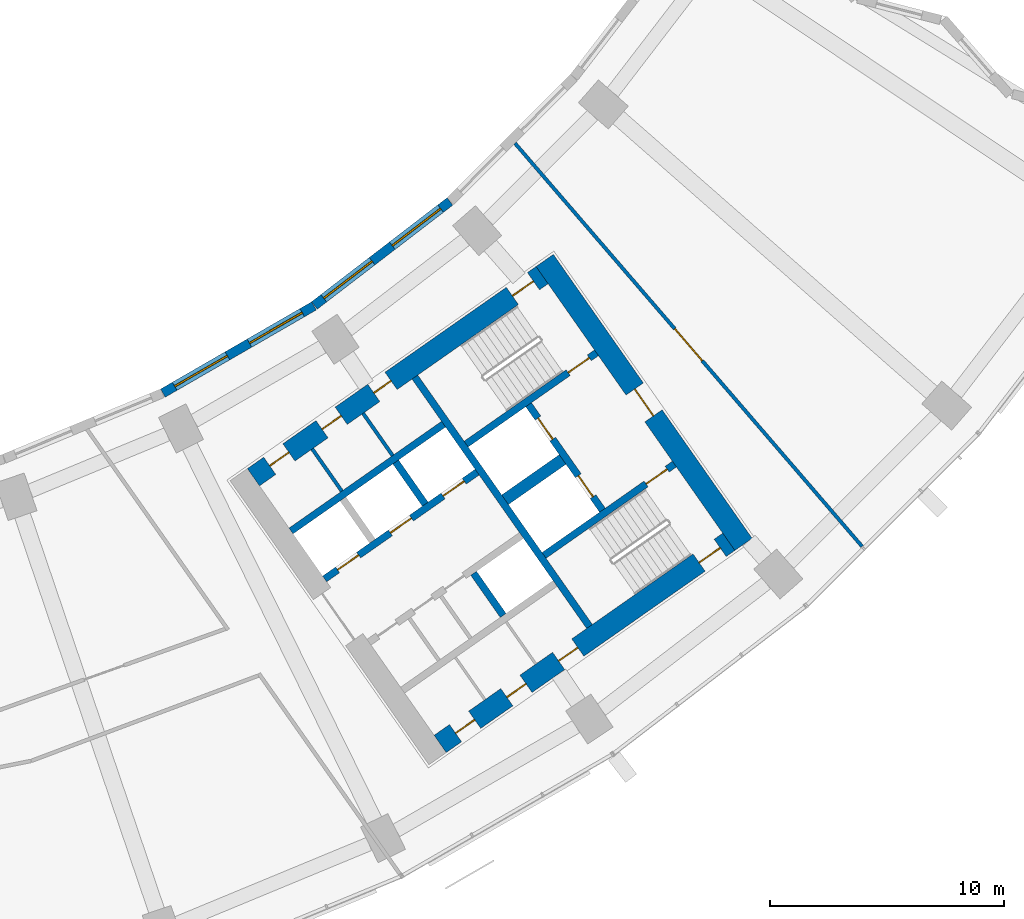
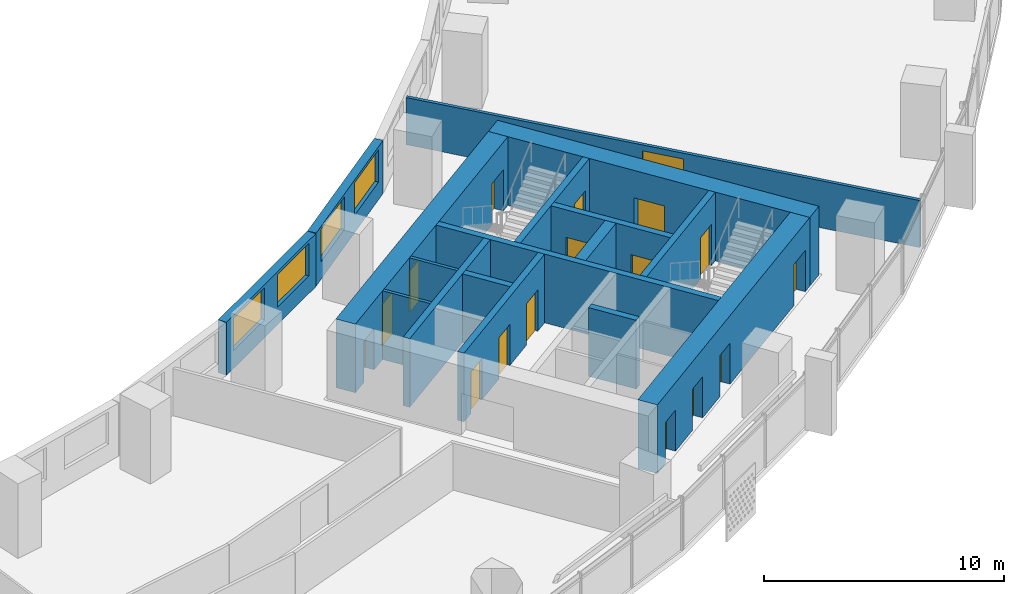
# One storey, part 7 of 30: 17 doors, 17 walls, 4 windows, 21 openings.
"""IFC4 building model written with IfcOpenShell, lengths in metres."""

import ifcopenshell
import ifcopenshell.guid

model = None  # the IFC model being written
_history = None  # IfcOwnerHistory: only IFC2X3 demands one
_inside = {}  # id of a spatial element -> (the spatial element, [elements in it])
_under = {}  # id of a project, library or spatial element -> (it, [spatial elements below it])
_declared = {}  # id of a project -> (the project, [libraries it declares])
_typed = {}  # id of a type object -> (the type object, [elements of that type])
_made_of = {}  # id of a material, layer set ... -> (it, [elements and type objects made of it])


def new_model(schema):
    """Start an empty IFC model of exactly this schema.

    Asked for "IFC4X3", IfcOpenShell would pick the latest addendum, in which some entities
    have other attributes; the version numbers below select the first issue.
    IFC2X3 requires an IfcOwnerHistory on every rooted entity: one is made here for all.
    """
    global model, _history
    if schema == "IFC4X3":
        model = ifcopenshell.file(schema_version=(4, 3, 0, 0))
    else:
        model = ifcopenshell.file(schema=schema)
    _inside.clear()
    _under.clear()
    _declared.clear()
    _typed.clear()
    _made_of.clear()
    _history = None
    if model.schema == "IFC2X3":
        org = make("IfcOrganization", Name="unknown")
        user = make(
            "IfcPersonAndOrganization",
            ThePerson=make("IfcPerson", FamilyName="unknown"),
            TheOrganization=org,
        )
        app = make(
            "IfcApplication",
            ApplicationDeveloper=org,
            Version="unknown",
            ApplicationFullName="unknown",
            ApplicationIdentifier="unknown",
        )
        _history = make(
            "IfcOwnerHistory",
            OwningUser=user,
            OwningApplication=app,
            ChangeAction="ADDED",
            CreationDate=0,
        )
    return model


def make(cls, **values):
    """One entity of the class cls with the attributes given. An attribute that is None is left unset."""
    return model.create_entity(
        cls, **{name: value for name, value in values.items() if value is not None}
    )


def rooted(cls, **values):
    """An entity with a GlobalId (a new one), such as an element, a storey or a relation."""
    return make(cls, GlobalId=ifcopenshell.guid.new(), OwnerHistory=_history, **values)


def si_unit(unit_type, name, prefix=None):
    """IfcSIUnit, for example si_unit("LENGTHUNIT", "METRE", prefix="MILLI")."""
    return make("IfcSIUnit", UnitType=unit_type, Prefix=prefix, Name=name)


def assignment(units):
    """IfcUnitAssignment: the units of a project."""
    return None if units is None else make("IfcUnitAssignment", Units=units)


def point(xyz):
    """IfcCartesianPoint."""
    return None if xyz is None else make("IfcCartesianPoint", Coordinates=xyz)


def direction(xyz):
    """IfcDirection."""
    return None if xyz is None else make("IfcDirection", DirectionRatios=xyz)


def frame(location, z_axis=None, x_axis=None):
    """IfcAxis2Placement3D, a coordinate frame: its origin and axes. An axis left out is left unset."""
    return make(
        "IfcAxis2Placement3D",
        Location=point(location),
        Axis=direction(z_axis),
        RefDirection=direction(x_axis),
    )


def frame_2d(location, x_axis=None):
    """IfcAxis2Placement2D, a coordinate frame in the plane: its origin and x axis."""
    return make(
        "IfcAxis2Placement2D", Location=point(location), RefDirection=direction(x_axis)
    )


def origin():
    """The frame at (0, 0, 0) with its axes left unset."""
    return frame((0.0, 0.0, 0.0))


def place(relative_to, where):
    """IfcLocalPlacement: puts the frame where relative to a parent placement (None: the world)."""
    return make(
        "IfcLocalPlacement", PlacementRelTo=relative_to, RelativePlacement=where
    )


def context(
    kind, dimensions, precision=None, world=None, true_north=None, identifier=None
):
    """IfcGeometricRepresentationContext, for example the 3D "Model" context."""
    return make(
        "IfcGeometricRepresentationContext",
        ContextIdentifier=identifier,
        ContextType=kind,
        CoordinateSpaceDimension=dimensions,
        Precision=precision,
        WorldCoordinateSystem=world,
        TrueNorth=true_north,
    )


def subcontext(parent, identifier, kind, view, scale=None):
    """IfcGeometricRepresentationSubContext, for example "Body" below "Model"."""
    return make(
        "IfcGeometricRepresentationSubContext",
        ContextIdentifier=identifier,
        ContextType=kind,
        ParentContext=parent,
        TargetScale=scale,
        TargetView=view,
    )


def project(units=None, contexts=None):
    """IfcProject with its units and contexts."""
    return rooted(
        "IfcProject",
        Name="project",
        RepresentationContexts=contexts,
        UnitsInContext=assignment(units),
    )


def spatial(cls, under=None, at=None, **own):
    """A site, building, storey or space (cls), placed at a placement, below another one or the project."""
    s = rooted(cls, ObjectPlacement=at, **own)
    if under is not None:
        _under.setdefault(under.id(), (under, []))[1].append(s)
    return s


def profile(cls, at=None, kind="AREA", **sizes):
    """A parametric profile (cls). Its sizes go by their IFC names, for example OverallWidth=200.0."""
    return make(cls, ProfileType=kind, Position=at, **sizes)


def rectangle(**sizes):
    """IfcRectangleProfileDef."""
    return profile("IfcRectangleProfileDef", **sizes)


def extrude(swept, where, along, depth):
    """IfcExtrudedAreaSolid: the profile swept, set in the frame where, extruded along a direction by depth."""
    return make(
        "IfcExtrudedAreaSolid",
        SweptArea=swept,
        Position=where,
        ExtrudedDirection=direction(along),
        Depth=depth,
    )


def shape(context_of_items, identifier, shape_type, items):
    """IfcShapeRepresentation: the items that make up one representation, for example the "Body"."""
    return make(
        "IfcShapeRepresentation",
        ContextOfItems=context_of_items,
        RepresentationIdentifier=identifier,
        RepresentationType=shape_type,
        Items=items,
    )


def material(Name=None, Category=None):
    """IfcMaterial."""
    return make("IfcMaterial", Name=Name, Category=Category)


def layer(
    of_material, thickness, ventilated=None, Name=None, Category=None, Priority=None
):
    """IfcMaterialLayer: one layer of a wall or slab, of a material (None: an air gap)."""
    return make(
        "IfcMaterialLayer",
        Material=of_material,
        LayerThickness=thickness,
        IsVentilated=ventilated,
        Name=Name,
        Category=Category,
        Priority=Priority,
    )


def layer_set(layers, Name=None):
    """IfcMaterialLayerSet."""
    return make("IfcMaterialLayerSet", MaterialLayers=layers, LayerSetName=Name)


def made_of(thing, what):
    """Note that an element or type object is made of a material, layer set ...; save() writes the relation."""
    if what is not None:
        _made_of.setdefault(what.id(), (what, []))[1].append(thing)
    return thing


def type_object(cls, material=None, **own):
    """A type object (cls), such as IfcWallType, which elements share."""
    return made_of(rooted(cls, **own), material)


def element(
    cls,
    number,
    at=None,
    inside=None,
    cuts=None,
    type_object=None,
    material=None,
    context=None,
    identifier="Body",
    shape_type=None,
    held_by="IfcProductDefinitionShape",
    body=None,
    shapes=None,
    **own,
):
    """One element of the class cls, such as IfcWall. Its Tag is "e" and its number.

    at: its placement. inside: the storey or other place that contains it. cuts: it is an
    opening in that element (IfcRelVoidsElement). A single representation is given by context,
    identifier, shape_type and body (its items); several are given by shapes. held_by: the class
    of the entity that holds the representations. save() writes the other relations.
    """
    e = rooted(cls, Tag="e%d" % number, ObjectPlacement=at, **own)
    if body is not None:
        shapes = [shape(context, identifier, shape_type, body)]
    if shapes is not None:
        e.Representation = make(held_by, Representations=shapes)
    if inside is not None:
        _inside.setdefault(inside.id(), (inside, []))[1].append(e)
    if cuts is not None:
        rooted(
            "IfcRelVoidsElement", RelatingBuildingElement=cuts, RelatedOpeningElement=e
        )
    if type_object is not None:
        _typed.setdefault(type_object.id(), (type_object, []))[1].append(e)
    return made_of(e, material)


def fill(opening, filler):
    """IfcRelFillsElement: the door or window that sits in an opening."""
    return rooted(
        "IfcRelFillsElement",
        RelatingOpeningElement=opening,
        RelatedBuildingElement=filler,
    )


def aggregate(whole, parts):
    """IfcRelAggregates: a whole, such as a stair, and the parts it consists of."""
    return rooted("IfcRelAggregates", RelatingObject=whole, RelatedObjects=parts)


def save(model, path):
    """Write the relations noted so far, then the file.

    IfcRelAggregates (storeys below a building ...), IfcRelContainedInSpatialStructure (elements
    in a storey), IfcRelDefinesByType, IfcRelAssociatesMaterial and IfcRelDeclares: one each for
    every whole, place, type object, material and project.
    """
    for whole, parts in _under.values():
        aggregate(whole, parts)
    for where, things in _inside.values():
        rooted(
            "IfcRelContainedInSpatialStructure",
            RelatedElements=things,
            RelatingStructure=where,
        )
    for kind, things in _typed.values():
        rooted("IfcRelDefinesByType", RelatedObjects=things, RelatingType=kind)
    for what, things in _made_of.values():
        rooted("IfcRelAssociatesMaterial", RelatedObjects=things, RelatingMaterial=what)
    for by, libraries in _declared.values():
        rooted("IfcRelDeclares", RelatingContext=by, RelatedDefinitions=libraries)
    model.write(path)


model = new_model("IFC4")

# Units and contexts
model_context = context("Model", 3, precision=1e-05, world=origin(), true_north=direction((0.0, 1.0)))
body_context = subcontext(model_context, "Body", "Model", "MODEL_VIEW")
ifc_project = project(units=[si_unit("LENGTHUNIT", "METRE"), si_unit("AREAUNIT", "SQUARE_METRE"), si_unit("VOLUMEUNIT", "CUBIC_METRE"), si_unit("PLANEANGLEUNIT", "RADIAN"), si_unit("MASSUNIT", "GRAM", prefix="KILO")], contexts=[model_context])

# Site, building, storey
site_placement = place(None, origin())
site = spatial("IfcSite", under=ifc_project, at=site_placement, CompositionType="ELEMENT")
building_placement = place(site_placement, origin())
building = spatial("IfcBuilding", under=site, at=building_placement, Name="Qamariyya Broadcast Tower", CompositionType="ELEMENT")
storey_placement = place(building_placement, frame((0.0, 0.0, 67.10009765625)))
storey = spatial("IfcBuildingStorey", under=building, at=storey_placement, Name="L13", CompositionType="ELEMENT", Elevation=67.10009765625)

# Wall, opening, door
ifc_material_1 = material(Name="Concrete C70/85", Category="concrete")
ifc_layer_1 = layer(ifc_material_1, 0.89990234375)
ifc_layer_set_1 = layer_set([ifc_layer_1], Name="Core wall 900 mm Concrete C70/85")
wall_type_1 = type_object("IfcWallType", Name="Core wall 900 mm Concrete C70/85", PredefinedType="SHEAR", material=ifc_layer_set_1)
wall_1_placement = place(storey_placement, frame((49.778564453125, -57.191162109375, 0.0), z_axis=(0.0, 0.0, 1.0), x_axis=(-0.573577477574, 0.819151315216, 0.0)))
wall_1 = element("IfcWall", 1, at=wall_1_placement, inside=storey, type_object=wall_type_1, Name="k-E-L13-WH", PredefinedType="SHEAR", context=body_context, shape_type="SweptSolid", body=[
    extrude(rectangle(XDim=14.800048828125, YDim=0.89990234375, at=frame_2d((7.39990234375, 0.0))), origin(), (0.0, 0.0, 1.0), 3.5),
])
opening_1_placement = place(wall_1_placement, frame((6.699951171875, 0.0, 0.0)))
opening_1 = element("IfcOpeningElement", 2, at=opening_1_placement, cuts=wall_1, Name="Opening KD2-E1", PredefinedType="OPENING", context=body_context, shape_type="SweptSolid", body=[
    extrude(rectangle(XDim=1.39990234375, YDim=2.10009765625, at=frame_2d((0.699951171875, 1.050048828125))), frame((0.0, 0.4599609375, 0.0), z_axis=(0.0, -1.0, 0.0), x_axis=(1.0, 0.0, 0.0)), (0.0, 0.0, 1.0), 0.919921875),
])
ifc_material_2 = material(Name="Steel fire-resisting door leaf", Category="steel")
door_type_1 = type_object("IfcDoorType", Name="Fire-fighting lobby door KD2", OperationType="DOUBLE_DOOR_SINGLE_SWING", PredefinedType="DOOR", material=ifc_material_2)
door_1_placement = place(opening_1_placement, origin())
door_1 = element("IfcDoor", 3, at=door_1_placement, inside=storey, type_object=door_type_1, Name="k-E-L13-WH-D16", OperationType="DOUBLE_DOOR_SINGLE_SWING", OverallHeight=2.10009765625, OverallWidth=1.39990234375, PredefinedType="DOOR", context=body_context, shape_type="SweptSolid", body=[
    extrude(rectangle(XDim=1.39990234375, YDim=2.10009765625, at=frame_2d((0.699951171875, 1.050048828125))), frame((0.0, 0.02490234375, 0.0), z_axis=(0.0, -1.0, 0.0), x_axis=(1.0, 0.0, 0.0)), (0.0, 0.0, 1.0), 0.050048828125),
])
fill(opening_1, door_1)

# Wall, openings, doors
wall_2_placement = place(storey_placement, frame((28.8544921875, -54.32421875, 0.0), z_axis=(0.0, 0.0, 1.0), x_axis=(0.819145767589, 0.573585400304, 0.0)))
wall_2 = element("IfcWall", 4, at=wall_2_placement, inside=storey, type_object=wall_type_1, Name="k-E-L13-WI", PredefinedType="SHEAR", context=body_context, shape_type="SweptSolid", body=[
    extrude(rectangle(XDim=15.04541015625, YDim=0.89990234375, at=frame_2d((7.522705078125, 0.0))), origin(), (0.0, 0.0, 1.0), 3.5),
])
opening_2_placement = place(wall_2_placement, frame((0.85009765625, 0.0, 0.0)))
opening_2 = element("IfcOpeningElement", 5, at=opening_2_placement, cuts=wall_2, Name="Opening KD6-E3", PredefinedType="OPENING", context=body_context, shape_type="SweptSolid", body=[
    extrude(rectangle(XDim=1.0, YDim=2.10009765625, at=frame_2d((0.5, 1.050048828125))), frame((0.0, 0.4599609375, 0.0), z_axis=(0.0, -1.0, 0.0), x_axis=(1.0, 0.0, 0.0)), (0.0, 0.0, 1.0), 0.919921875),
])
opening_3_placement = place(wall_2_placement, frame((3.574951171875, 0.0, 0.0)))
opening_3 = element("IfcOpeningElement", 6, at=opening_3_placement, cuts=wall_2, Name="Opening KD7-E1", PredefinedType="OPENING", context=body_context, shape_type="SweptSolid", body=[
    extrude(rectangle(XDim=1.0, YDim=2.10009765625, at=frame_2d((0.5, 1.050048828125))), frame((0.0, 0.4599609375, 0.0), z_axis=(0.0, -1.0, 0.0), x_axis=(1.0, 0.0, 0.0)), (0.0, 0.0, 1.0), 0.919921875),
])
opening_4_placement = place(wall_2_placement, frame((6.27490234375, 0.0, 0.0)))
opening_4 = element("IfcOpeningElement", 7, at=opening_4_placement, cuts=wall_2, Name="Opening KD5-E1", PredefinedType="OPENING", context=body_context, shape_type="SweptSolid", body=[
    extrude(rectangle(XDim=0.89990234375, YDim=2.10009765625, at=frame_2d((0.449951171875, 1.050048828125))), frame((0.0, 0.4599609375, 0.0), z_axis=(0.0, -1.0, 0.0), x_axis=(1.0, 0.0, 0.0)), (0.0, 0.0, 1.0), 0.919921875),
])
opening_5_placement = place(wall_2_placement, frame((13.495361328125, 0.0, 0.0)))
opening_5 = element("IfcOpeningElement", 8, at=opening_5_placement, cuts=wall_2, Name="Opening KD1-E1", PredefinedType="OPENING", context=body_context, shape_type="SweptSolid", body=[
    extrude(rectangle(XDim=1.10009765625, YDim=2.10009765625, at=frame_2d((0.550048828125, 1.050048828125))), frame((0.0, 0.4599609375, 0.0), z_axis=(0.0, -1.0, 0.0), x_axis=(1.0, 0.0, 0.0)), (0.0, 0.0, 1.0), 0.919921875),
])
door_type_2 = type_object("IfcDoorType", Name="Accessible toilet door KD7", OperationType="SINGLE_SWING_LEFT", PredefinedType="DOOR", material=ifc_material_2)
door_2_placement = place(opening_3_placement, origin())
door_2 = element("IfcDoor", 9, at=door_2_placement, inside=storey, type_object=door_type_2, Name="k-E-L13-WI-D9", OperationType="SINGLE_SWING_LEFT", OverallHeight=2.10009765625, OverallWidth=1.0, PredefinedType="DOOR", context=body_context, shape_type="SweptSolid", body=[
    extrude(rectangle(XDim=1.0, YDim=2.10009765625, at=frame_2d((0.5, 1.050048828125))), frame((0.0, 0.02490234375, 0.0), z_axis=(0.0, -1.0, 0.0), x_axis=(1.0, 0.0, 0.0)), (0.0, 0.0, 1.0), 0.050048828125),
])
fill(opening_3, door_2)
door_type_3 = type_object("IfcDoorType", Name="Core room door KD6", OperationType="SINGLE_SWING_LEFT", PredefinedType="DOOR", material=ifc_material_2)
door_3_placement = place(opening_2_placement, origin())
door_3 = element("IfcDoor", 10, at=door_3_placement, inside=storey, type_object=door_type_3, Name="k-E-L13-WI-D8", OperationType="SINGLE_SWING_RIGHT", OverallHeight=2.10009765625, OverallWidth=1.0, PredefinedType="DOOR", context=body_context, shape_type="SweptSolid", body=[
    extrude(rectangle(XDim=1.0, YDim=2.10009765625, at=frame_2d((0.5, 1.050048828125))), frame((0.0, 0.02490234375, 0.0), z_axis=(0.0, -1.0, 0.0), x_axis=(1.0, 0.0, 0.0)), (0.0, 0.0, 1.0), 0.050048828125),
])
fill(opening_2, door_3)
door_type_4 = type_object("IfcDoorType", Name="Stair door KD1", OperationType="SINGLE_SWING_LEFT", PredefinedType="DOOR", material=ifc_material_2)
door_4_placement = place(opening_5_placement, origin())
door_4 = element("IfcDoor", 11, at=door_4_placement, inside=storey, type_object=door_type_4, Name="k-E-L13-WI-D17", OperationType="SINGLE_SWING_RIGHT", OverallHeight=2.10009765625, OverallWidth=1.10009765625, PredefinedType="DOOR", context=body_context, shape_type="SweptSolid", body=[
    extrude(rectangle(XDim=1.10009765625, YDim=2.10009765625, at=frame_2d((0.550048828125, 1.050048828125))), frame((0.0, 0.02490234375, 0.0), z_axis=(0.0, -1.0, 0.0), x_axis=(1.0, 0.0, 0.0)), (0.0, 0.0, 1.0), 0.050048828125),
])
fill(opening_5, door_4)
door_type_5 = type_object("IfcDoorType", Name="Toilet door KD5", OperationType="SINGLE_SWING_LEFT", PredefinedType="DOOR", material=ifc_material_2)
door_5_placement = place(opening_4_placement, origin())
door_5 = element("IfcDoor", 12, at=door_5_placement, inside=storey, type_object=door_type_5, Name="k-E-L13-WI-D10", OperationType="SINGLE_SWING_RIGHT", OverallHeight=2.10009765625, OverallWidth=0.89990234375, PredefinedType="DOOR", context=body_context, shape_type="SweptSolid", body=[
    extrude(rectangle(XDim=0.89990234375, YDim=2.10009765625, at=frame_2d((0.449951171875, 1.050048828125))), frame((0.0, 0.02490234375, 0.0), z_axis=(0.0, -1.0, 0.0), x_axis=(1.0, 0.0, 0.0)), (0.0, 0.0, 1.0), 0.050048828125),
])
fill(opening_4, door_5)

wall_3_placement = place(storey_placement, frame((36.827392578125, -65.710205078125, 0.0), z_axis=(0.0, 0.0, 1.0), x_axis=(0.819153391756, 0.573574511963, 0.0)))
wall_3 = element("IfcWall", 13, at=wall_3_placement, inside=storey, type_object=wall_type_1, Name="k-E-L13-WO", PredefinedType="SHEAR", context=body_context, shape_type="SweptSolid", body=[
    extrude(rectangle(XDim=15.04541015625, YDim=0.89990234375, at=frame_2d((7.522705078125, 0.0))), origin(), (0.0, 0.0, 1.0), 3.5),
])
opening_6_placement = place(wall_3_placement, frame((0.800048828125, 0.0, 0.0)))
opening_6 = element("IfcOpeningElement", 14, at=opening_6_placement, cuts=wall_3, Name="Opening KD4-E2", PredefinedType="OPENING", context=body_context, shape_type="SweptSolid", body=[
    extrude(rectangle(XDim=1.0, YDim=2.10009765625, at=frame_2d((0.5, 1.050048828125))), frame((0.0, 0.4599609375, 0.0), z_axis=(0.0, -1.0, 0.0), x_axis=(1.0, 0.0, 0.0)), (0.0, 0.0, 1.0), 0.919921875),
])
opening_7_placement = place(wall_3_placement, frame((3.47509765625, 0.0, 0.0)))
opening_7 = element("IfcOpeningElement", 15, at=opening_7_placement, cuts=wall_3, Name="Opening KD4-E3", PredefinedType="OPENING", context=body_context, shape_type="SweptSolid", body=[
    extrude(rectangle(XDim=1.0, YDim=2.10009765625, at=frame_2d((0.5, 1.050048828125))), frame((0.0, 0.4599609375, 0.0), z_axis=(0.0, -1.0, 0.0), x_axis=(1.0, 0.0, 0.0)), (0.0, 0.0, 1.0), 0.919921875),
])
opening_8_placement = place(wall_3_placement, frame((6.175048828125, 0.0, 0.0)))
opening_8 = element("IfcOpeningElement", 16, at=opening_8_placement, cuts=wall_3, Name="Opening KD4-E4", PredefinedType="OPENING", context=body_context, shape_type="SweptSolid", body=[
    extrude(rectangle(XDim=1.0, YDim=2.10009765625, at=frame_2d((0.5, 1.050048828125))), frame((0.0, 0.4599609375, 0.0), z_axis=(0.0, -1.0, 0.0), x_axis=(1.0, 0.0, 0.0)), (0.0, 0.0, 1.0), 0.919921875),
])
opening_9_placement = place(wall_3_placement, frame((13.495361328125, 0.0, 0.0)))
opening_9 = element("IfcOpeningElement", 17, at=opening_9_placement, cuts=wall_3, Name="Opening KD1-E3", PredefinedType="OPENING", context=body_context, shape_type="SweptSolid", body=[
    extrude(rectangle(XDim=1.10009765625, YDim=2.10009765625, at=frame_2d((0.550048828125, 1.050048828125))), frame((0.0, 0.4599609375, 0.0), z_axis=(0.0, -1.0, 0.0), x_axis=(1.0, 0.0, 0.0)), (0.0, 0.0, 1.0), 0.919921875),
])
door_type_6 = type_object("IfcDoorType", Name="Riser and plant door KD4", OperationType="SINGLE_SWING_LEFT", PredefinedType="DOOR", material=ifc_material_2)
door_6_placement = place(opening_6_placement, origin())
door_6 = element("IfcDoor", 18, at=door_6_placement, inside=storey, type_object=door_type_6, Name="k-E-L13-WO-D11", OperationType="SINGLE_SWING_LEFT", OverallHeight=2.10009765625, OverallWidth=1.0, PredefinedType="DOOR", context=body_context, shape_type="SweptSolid", body=[
    extrude(rectangle(XDim=1.0, YDim=2.10009765625, at=frame_2d((0.5, 1.050048828125))), frame((0.0, 0.02490234375, 0.0), z_axis=(0.0, -1.0, 0.0), x_axis=(1.0, 0.0, 0.0)), (0.0, 0.0, 1.0), 0.050048828125),
])
fill(opening_6, door_6)
door_7_placement = place(opening_7_placement, origin())
door_7 = element("IfcDoor", 19, at=door_7_placement, inside=storey, type_object=door_type_6, Name="k-E-L13-WO-D12", OperationType="SINGLE_SWING_RIGHT", OverallHeight=2.10009765625, OverallWidth=1.0, PredefinedType="DOOR", context=body_context, shape_type="SweptSolid", body=[
    extrude(rectangle(XDim=1.0, YDim=2.10009765625, at=frame_2d((0.5, 1.050048828125))), frame((0.0, 0.02490234375, 0.0), z_axis=(0.0, -1.0, 0.0), x_axis=(1.0, 0.0, 0.0)), (0.0, 0.0, 1.0), 0.050048828125),
])
fill(opening_7, door_7)
door_8_placement = place(opening_8_placement, origin())
door_8 = element("IfcDoor", 20, at=door_8_placement, inside=storey, type_object=door_type_6, Name="k-E-L13-WO-D13", OperationType="SINGLE_SWING_LEFT", OverallHeight=2.10009765625, OverallWidth=1.0, PredefinedType="DOOR", context=body_context, shape_type="SweptSolid", body=[
    extrude(rectangle(XDim=1.0, YDim=2.10009765625, at=frame_2d((0.5, 1.050048828125))), frame((0.0, 0.02490234375, 0.0), z_axis=(0.0, -1.0, 0.0), x_axis=(1.0, 0.0, 0.0)), (0.0, 0.0, 1.0), 0.050048828125),
])
fill(opening_8, door_8)
door_9_placement = place(opening_9_placement, origin())
door_9 = element("IfcDoor", 21, at=door_9_placement, inside=storey, type_object=door_type_4, Name="k-E-L13-WO-D19", OperationType="SINGLE_SWING_LEFT", OverallHeight=2.10009765625, OverallWidth=1.10009765625, PredefinedType="DOOR", context=body_context, shape_type="SweptSolid", body=[
    extrude(rectangle(XDim=1.10009765625, YDim=2.10009765625, at=frame_2d((0.550048828125, 1.050048828125))), frame((0.0, 0.02490234375, 0.0), z_axis=(0.0, -1.0, 0.0), x_axis=(1.0, 0.0, 0.0)), (0.0, 0.0, 1.0), 0.050048828125),
])
fill(opening_9, door_9)

# Wall, opening, door
ifc_material_3 = material(Name="Gypsum board partition")
ifc_layer_2 = layer(ifc_material_3, 0.14990234375)
ifc_layer_set_2 = layer_set([ifc_layer_2], Name="Corridor partition 150 EI 60")
wall_type_2 = type_object("IfcWallType", Name="Corridor partition 150 EI 60", PredefinedType="PARTITIONING", material=ifc_layer_set_2)
wall_4_placement = place(storey_placement, frame((40.021240234375, -40.063232421875, 0.0), z_axis=(0.0, 0.0, 1.0), x_axis=(0.652471531746, -0.757813235739, 0.0)))
wall_4 = element("IfcWall", 22, at=wall_4_placement, inside=storey, type_object=wall_type_2, Name="Partition L13-034", PredefinedType="PARTITIONING", context=body_context, shape_type="SweptSolid", body=[
    extrude(rectangle(XDim=22.71484375, YDim=0.14990234375, at=frame_2d((11.357421875, 0.0))), origin(), (0.0, 0.0, 1.0), 2.39990234375),
])
opening_10_placement = place(wall_4_placement, frame((10.45751953125, 0.0, 0.0)))
opening_10 = element("IfcOpeningElement", 23, at=opening_10_placement, cuts=wall_4, Name="Opening L13-D16", PredefinedType="OPENING", context=body_context, shape_type="SweptSolid", body=[
    extrude(rectangle(XDim=1.800048828125, YDim=2.10009765625, at=frame_2d((0.89990234375, 1.050048828125))), frame((0.0, 0.0849609375, 0.0), z_axis=(0.0, -1.0, 0.0), x_axis=(1.0, 0.0, 0.0)), (0.0, 0.0, 1.0), 0.169921875),
])
ifc_material_4 = material(Name="Timber fire door leaf", Category="wood")
door_type_7 = type_object("IfcDoorType", Name="Double fire door 1800 x 2100 FD60", OperationType="NOTDEFINED", PredefinedType="DOOR", material=ifc_material_4)
door_10_placement = place(opening_10_placement, origin())
door_10 = element("IfcDoor", 24, at=door_10_placement, inside=storey, type_object=door_type_7, Name="Door L13-D16", OperationType="DOUBLE_DOOR_SINGLE_SWING", OverallHeight=2.10009765625, OverallWidth=1.800048828125, PredefinedType="DOOR", context=body_context, shape_type="SweptSolid", body=[
    extrude(rectangle(XDim=1.800048828125, YDim=2.10009765625, at=frame_2d((0.89990234375, 1.050048828125))), frame((0.0, 0.02490234375, 0.0), z_axis=(0.0, -1.0, 0.0), x_axis=(1.0, 0.0, 0.0)), (0.0, 0.0, 1.0), 0.050048828125),
])
fill(opening_10, door_10)

# Walls
ifc_material_5 = material(Name="Concrete C60/75", Category="concrete")
ifc_layer_3 = layer(ifc_material_5, 0.5)
ifc_layer_set_3 = layer_set([ifc_layer_3], Name="Fire-fighting lobby divider wall 500 mm Concrete C60/75")
wall_type_3 = type_object("IfcWallType", Name="Fire-fighting lobby divider wall 500 mm Concrete C60/75", PredefinedType="SOLIDWALL", material=ifc_layer_set_3)
wall_5_placement = place(storey_placement, frame((39.59912109375, -55.28515625, 0.0), z_axis=(0.0, 0.0, 1.0), x_axis=(0.819136323161, 0.573598887793, 0.0)))
element("IfcWall", 25, at=wall_5_placement, inside=storey, type_object=wall_type_3, Name="k-E-L13-FD", PredefinedType="SOLIDWALL", context=body_context, shape_type="SweptSolid", body=[
    extrude(rectangle(XDim=2.999755859375, YDim=0.5, at=frame_2d((1.5, 0.0))), origin(), (0.0, 0.0, 1.0), 3.5),
])
ifc_material_6 = material(Name="Gypsum board partition on steel studs", Category="steel")
ifc_layer_4 = layer(ifc_material_6, 0.14990234375)
ifc_layer_set_4 = layer_set([ifc_layer_4], Name="Gypsum board partition 150 mm")
wall_type_4 = type_object("IfcWallType", Name="Gypsum board partition 150 mm", PredefinedType="PARTITIONING", material=ifc_layer_set_4)
for number, where, z_axis, x_axis, name in (
    (26, (32.627197265625, -54.91748046875, 0.0), (0.0, 0.0, 1.0), (-0.573507030513, 0.819200638399, 0.0), "k-E-L13-NP275"),
    (27, (34.798095703125, -53.3974609375, 0.0), (0.0, 0.0, 1.0), (-0.573633636671, 0.819111989218, 0.0), "k-E-L13-NP540"),
):
    element("IfcWall", number, at=place(storey_placement, frame(where, z_axis=z_axis, x_axis=x_axis)), inside=storey, type_object=wall_type_4, Name=name, PredefinedType="PARTITIONING", context=body_context, shape_type="SweptSolid", body=[
        extrude(rectangle(XDim=2.199951171875, YDim=0.14990234375, at=frame_2d((1.10009765625, 0.0))), origin(), (0.0, 0.0, 1.0), 3.5),
    ])
ifc_layer_5 = layer(ifc_material_5, 0.300048828125)
ifc_layer_set_5 = layer_set([ifc_layer_5], Name="Lift shaft wall 300 mm Concrete C60/75")
wall_type_5 = type_object("IfcWallType", Name="Lift shaft wall 300 mm Concrete C60/75", PredefinedType="SOLIDWALL", material=ifc_layer_set_5)
wall_6_placement = place(storey_placement, frame((43.204345703125, -60.69580078125, 0.0), z_axis=(0.0, 0.0, 1.0), x_axis=(-0.573571992966, 0.819155155563, 0.0)))
element("IfcWall", 28, at=wall_6_placement, inside=storey, type_object=wall_type_5, Name="k-E-L13-WL", PredefinedType="SOLIDWALL", context=body_context, shape_type="SweptSolid", body=[
    extrude(rectangle(XDim=13.000244140625, YDim=0.300048828125, at=frame_2d((6.5, 0.0))), origin(), (0.0, 0.0, 1.0), 3.5),
])

# Wall, openings, doors
wall_7_placement = place(storey_placement, frame((31.89453125, -58.66552734375, 0.0), z_axis=(0.0, 0.0, 1.0), x_axis=(0.819166993208, 0.573555086491, 0.0)))
wall_7 = element("IfcWall", 29, at=wall_7_placement, inside=storey, type_object=wall_type_5, Name="k-E-L13-NF0", PredefinedType="SOLIDWALL", context=body_context, shape_type="SweptSolid", body=[
    extrude(rectangle(XDim=7.9501953125, YDim=0.300048828125, at=frame_2d((3.97509765625, 0.0))), origin(), (0.0, 0.0, 1.0), 3.5),
])
opening_11_placement = place(wall_7_placement, frame((0.675048828125, 0.0, 0.0)))
opening_11 = element("IfcOpeningElement", 30, at=opening_11_placement, cuts=wall_7, Name="Opening LD", PredefinedType="OPENING", context=body_context, shape_type="SweptSolid", body=[
    extrude(rectangle(XDim=1.10009765625, YDim=2.10009765625, at=frame_2d((0.550048828125, 1.050048828125))), frame((0.0, 0.159912109375, 0.0), z_axis=(0.0, -1.0, 0.0), x_axis=(1.0, 0.0, 0.0)), (0.0, 0.0, 1.0), 0.320068359375),
])
opening_12_placement = place(wall_7_placement, frame((3.425048828125, 0.0, 0.0)))
opening_12 = element("IfcOpeningElement", 31, at=opening_12_placement, cuts=wall_7, Name="Opening LD", PredefinedType="OPENING", context=body_context, shape_type="SweptSolid", body=[
    extrude(rectangle(XDim=1.10009765625, YDim=2.10009765625, at=frame_2d((0.550048828125, 1.050048828125))), frame((0.0, 0.159912109375, 0.0), z_axis=(0.0, -1.0, 0.0), x_axis=(1.0, 0.0, 0.0)), (0.0, 0.0, 1.0), 0.320068359375),
])
opening_13_placement = place(wall_7_placement, frame((6.175048828125, 0.0, 0.0)))
opening_13 = element("IfcOpeningElement", 32, at=opening_13_placement, cuts=wall_7, Name="Opening LD", PredefinedType="OPENING", context=body_context, shape_type="SweptSolid", body=[
    extrude(rectangle(XDim=1.10009765625, YDim=2.10009765625, at=frame_2d((0.550048828125, 1.050048828125))), frame((0.0, 0.159912109375, 0.0), z_axis=(0.0, -1.0, 0.0), x_axis=(1.0, 0.0, 0.0)), (0.0, 0.0, 1.0), 0.320068359375),
])
door_type_8 = type_object("IfcDoorType", Name="Lift landing door LD", OperationType="DOUBLE_DOOR_SLIDING", PredefinedType="DOOR", material=ifc_material_2)
door_11_placement = place(opening_11_placement, origin())
door_11 = element("IfcDoor", 33, at=door_11_placement, inside=storey, type_object=door_type_8, Name="k-E-L13-NF0-D2", OperationType="DOUBLE_DOOR_SLIDING", OverallHeight=2.10009765625, OverallWidth=1.10009765625, PredefinedType="DOOR", context=body_context, shape_type="SweptSolid", body=[
    extrude(rectangle(XDim=1.10009765625, YDim=2.10009765625, at=frame_2d((0.550048828125, 1.050048828125))), frame((0.0, 0.02490234375, 0.0), z_axis=(0.0, -1.0, 0.0), x_axis=(1.0, 0.0, 0.0)), (0.0, 0.0, 1.0), 0.050048828125),
])
fill(opening_11, door_11)
door_12_placement = place(opening_12_placement, origin())
door_12 = element("IfcDoor", 34, at=door_12_placement, inside=storey, type_object=door_type_8, Name="k-E-L13-NF0-D3", OperationType="DOUBLE_DOOR_SLIDING", OverallHeight=2.10009765625, OverallWidth=1.10009765625, PredefinedType="DOOR", context=body_context, shape_type="SweptSolid", body=[
    extrude(rectangle(XDim=1.10009765625, YDim=2.10009765625, at=frame_2d((0.550048828125, 1.050048828125))), frame((0.0, 0.02490234375, 0.0), z_axis=(0.0, -1.0, 0.0), x_axis=(1.0, 0.0, 0.0)), (0.0, 0.0, 1.0), 0.050048828125),
])
fill(opening_12, door_12)
door_13_placement = place(opening_13_placement, origin())
door_13 = element("IfcDoor", 35, at=door_13_placement, inside=storey, type_object=door_type_8, Name="k-E-L13-NF0-D4", OperationType="DOUBLE_DOOR_SLIDING", OverallHeight=2.10009765625, OverallWidth=1.10009765625, PredefinedType="DOOR", context=body_context, shape_type="SweptSolid", body=[
    extrude(rectangle(XDim=1.10009765625, YDim=2.10009765625, at=frame_2d((0.550048828125, 1.050048828125))), frame((0.0, 0.02490234375, 0.0), z_axis=(0.0, -1.0, 0.0), x_axis=(1.0, 0.0, 0.0)), (0.0, 0.0, 1.0), 0.050048828125),
])
fill(opening_13, door_13)

# Walls
wall_8_placement = place(storey_placement, frame((30.460693359375, -56.61767578125, 0.0), z_axis=(0.0, 0.0, 1.0), x_axis=(0.819142461705, 0.573590121456, 0.0)))
element("IfcWall", 36, at=wall_8_placement, inside=storey, type_object=wall_type_5, Name="k-E-L13-NB0", PredefinedType="SOLIDWALL", context=body_context, shape_type="SweptSolid", body=[
    extrude(rectangle(XDim=7.949951171875, YDim=0.300048828125, at=frame_2d((3.97509765625, 0.0))), origin(), (0.0, 0.0, 1.0), 3.5),
])
for number, where, z_axis, x_axis, name in (
    (37, (36.19091796875, -55.47412109375, 0.0), (0.0, 0.0, 1.0), (-0.573507030513, 0.819200638399, 0.0), "k-E-L13-ND1"),
    (38, (38.255859375, -58.423095703125, 0.0), (0.0, 0.0, 1.0), (0.573633636671, -0.819111989218, 0.0), "k-E-L13-SD1"),
):
    element("IfcWall", number, at=place(storey_placement, frame(where, z_axis=z_axis, x_axis=x_axis)), inside=storey, type_object=wall_type_5, Name=name, PredefinedType="SOLIDWALL", context=body_context, shape_type="SweptSolid", body=[
        extrude(rectangle(XDim=2.199951171875, YDim=0.300048828125, at=frame_2d((1.10009765625, 0.0))), origin(), (0.0, 0.0, 1.0), 3.5),
    ])

# Wall, opening, door
wall_9_placement = place(storey_placement, frame((37.935546875, -52.90966796875, 0.0), z_axis=(0.0, 0.0, 1.0), x_axis=(0.819147518138, 0.57358290031, 0.0)))
wall_9 = element("IfcWall", 39, at=wall_9_placement, inside=storey, type_object=wall_type_5, Name="k-E-L13-NW", PredefinedType="SOLIDWALL", context=body_context, shape_type="SweptSolid", body=[
    extrude(rectangle(XDim=6.79541015625, YDim=0.300048828125, at=frame_2d((3.397705078125, 0.0))), origin(), (0.0, 0.0, 1.0), 3.5),
])
opening_14_placement = place(wall_9_placement, frame((5.3203125, 0.0, 0.0)))
opening_14 = element("IfcOpeningElement", 40, at=opening_14_placement, cuts=wall_9, Name="Opening KD1-E2", PredefinedType="OPENING", context=body_context, shape_type="SweptSolid", body=[
    extrude(rectangle(XDim=1.10009765625, YDim=2.10009765625, at=frame_2d((0.550048828125, 1.050048828125))), frame((0.0, 0.159912109375, 0.0), z_axis=(0.0, -1.0, 0.0), x_axis=(1.0, 0.0, 0.0)), (0.0, 0.0, 1.0), 0.320068359375),
])
door_14_placement = place(opening_14_placement, origin())
door_14 = element("IfcDoor", 41, at=door_14_placement, inside=storey, type_object=door_type_4, Name="k-E-L13-NW-D18", OperationType="SINGLE_SWING_RIGHT", OverallHeight=2.10009765625, OverallWidth=1.10009765625, PredefinedType="DOOR", context=body_context, shape_type="SweptSolid", body=[
    extrude(rectangle(XDim=1.10009765625, YDim=2.10009765625, at=frame_2d((0.550048828125, 1.050048828125))), frame((0.0, 0.02490234375, 0.0), z_axis=(0.0, -1.0, 0.0), x_axis=(1.0, 0.0, 0.0)), (0.0, 0.0, 1.0), 0.050048828125),
])
fill(opening_14, door_14)

wall_10_placement = place(storey_placement, frame((41.262451171875, -57.66064453125, 0.0), z_axis=(0.0, 0.0, 1.0), x_axis=(0.819164398642, 0.573558792102, 0.0)))
wall_10 = element("IfcWall", 42, at=wall_10_placement, inside=storey, type_object=wall_type_5, Name="k-E-L13-SW", PredefinedType="SOLIDWALL", context=body_context, shape_type="SweptSolid", body=[
    extrude(rectangle(XDim=6.795166015625, YDim=0.300048828125, at=frame_2d((3.3974609375, 0.0))), origin(), (0.0, 0.0, 1.0), 3.5),
])
opening_15_placement = place(wall_10_placement, frame((5.3203125, 0.0, 0.0)))
opening_15 = element("IfcOpeningElement", 43, at=opening_15_placement, cuts=wall_10, Name="Opening KD1-E4", PredefinedType="OPENING", context=body_context, shape_type="SweptSolid", body=[
    extrude(rectangle(XDim=1.10009765625, YDim=2.10009765625, at=frame_2d((0.550048828125, 1.050048828125))), frame((0.0, 0.159912109375, 0.0), z_axis=(0.0, -1.0, 0.0), x_axis=(1.0, 0.0, 0.0)), (0.0, 0.0, 1.0), 0.320068359375),
])
door_15_placement = place(opening_15_placement, origin())
door_15 = element("IfcDoor", 44, at=door_15_placement, inside=storey, type_object=door_type_4, Name="k-E-L13-SW-D20", OperationType="SINGLE_SWING_RIGHT", OverallHeight=2.10009765625, OverallWidth=1.10009765625, PredefinedType="DOOR", context=body_context, shape_type="SweptSolid", body=[
    extrude(rectangle(XDim=1.10009765625, YDim=2.10009765625, at=frame_2d((0.550048828125, 1.050048828125))), frame((0.0, 0.02490234375, 0.0), z_axis=(0.0, -1.0, 0.0), x_axis=(1.0, 0.0, 0.0)), (0.0, 0.0, 1.0), 0.050048828125),
])
fill(opening_15, door_15)

# Wall, openings, doors
wall_11_placement = place(storey_placement, frame((43.756591796875, -55.731201171875, 0.0), z_axis=(0.0, 0.0, 1.0), x_axis=(-0.573536818435, 0.819179783625, 0.0)))
wall_11 = element("IfcWall", 45, at=wall_11_placement, inside=storey, type_object=wall_type_5, Name="k-E-L13-FF", PredefinedType="SOLIDWALL", context=body_context, shape_type="SweptSolid", body=[
    extrude(rectangle(XDim=5.500244140625, YDim=0.300048828125, at=frame_2d((2.75, 0.0))), origin(), (0.0, 0.0, 1.0), 3.5),
])
opening_16_placement = place(wall_11_placement, frame((0.699951171875, 0.0, 0.0)))
opening_16 = element("IfcOpeningElement", 46, at=opening_16_placement, cuts=wall_11, Name="Opening LD", PredefinedType="OPENING", context=body_context, shape_type="SweptSolid", body=[
    extrude(rectangle(XDim=1.10009765625, YDim=2.10009765625, at=frame_2d((0.550048828125, 1.050048828125))), frame((0.0, 0.159912109375, 0.0), z_axis=(0.0, -1.0, 0.0), x_axis=(1.0, 0.0, 0.0)), (0.0, 0.0, 1.0), 0.320068359375),
])
opening_17_placement = place(wall_11_placement, frame((3.699951171875, 0.0, 0.0)))
opening_17 = element("IfcOpeningElement", 47, at=opening_17_placement, cuts=wall_11, Name="Opening LD", PredefinedType="OPENING", context=body_context, shape_type="SweptSolid", body=[
    extrude(rectangle(XDim=1.10009765625, YDim=2.10009765625, at=frame_2d((0.550048828125, 1.050048828125))), frame((0.0, 0.159912109375, 0.0), z_axis=(0.0, -1.0, 0.0), x_axis=(1.0, 0.0, 0.0)), (0.0, 0.0, 1.0), 0.320068359375),
])
door_16_placement = place(opening_16_placement, origin())
door_16 = element("IfcDoor", 48, at=door_16_placement, inside=storey, type_object=door_type_8, Name="k-E-L13-FF-D14", OperationType="DOUBLE_DOOR_SLIDING", OverallHeight=2.10009765625, OverallWidth=1.10009765625, PredefinedType="DOOR", context=body_context, shape_type="SweptSolid", body=[
    extrude(rectangle(XDim=1.10009765625, YDim=2.10009765625, at=frame_2d((0.550048828125, 1.050048828125))), frame((0.0, 0.02490234375, 0.0), z_axis=(0.0, -1.0, 0.0), x_axis=(1.0, 0.0, 0.0)), (0.0, 0.0, 1.0), 0.050048828125),
])
fill(opening_16, door_16)
door_17_placement = place(opening_17_placement, origin())
door_17 = element("IfcDoor", 49, at=door_17_placement, inside=storey, type_object=door_type_8, Name="k-E-L13-FF-D15", OperationType="DOUBLE_DOOR_SLIDING", OverallHeight=2.10009765625, OverallWidth=1.10009765625, PredefinedType="DOOR", context=body_context, shape_type="SweptSolid", body=[
    extrude(rectangle(XDim=1.10009765625, YDim=2.10009765625, at=frame_2d((0.550048828125, 1.050048828125))), frame((0.0, 0.02490234375, 0.0), z_axis=(0.0, -1.0, 0.0), x_axis=(1.0, 0.0, 0.0)), (0.0, 0.0, 1.0), 0.050048828125),
])
fill(opening_17, door_17)

# Wall, openings, windows
ifc_material_7 = material(Name="Terracotta", Category="masonry")
ifc_layer_6 = layer(ifc_material_7, 0.39990234375)
ifc_layer_set_6 = layer_set([ifc_layer_6], Name="Terracotta clad wall 400")
wall_type_6 = type_object("IfcWallType", Name="Terracotta clad wall 400", PredefinedType="SOLIDWALL", material=ifc_layer_set_6)
wall_12_placement = place(storey_placement, frame((31.439453125, -47.007568359375, 0.0), z_axis=(0.0, 0.0, 1.0), x_axis=(-0.866037641005, -0.499978803913, 0.0)))
wall_12 = element("IfcWall", 50, at=wall_12_placement, inside=storey, type_object=wall_type_6, Name="e-wl-L13-in120", PredefinedType="SOLIDWALL", context=body_context, shape_type="SweptSolid", body=[
    extrude(rectangle(XDim=7.447021484375, YDim=0.39990234375, at=frame_2d((3.7236328125, 0.0))), origin(), (0.0, 0.0, 1.0), 2.699951171875),
])
opening_18_placement = place(wall_12_placement, frame((4.266357421875, 0.0, 0.89990234375)))
opening_18 = element("IfcOpeningElement", 51, at=opening_18_placement, cuts=wall_12, Name="Opening W1", PredefinedType="OPENING", context=body_context, shape_type="SweptSolid", body=[
    extrude(rectangle(XDim=2.60009765625, YDim=1.64990234375, at=frame_2d((1.300048828125, 0.824951171875))), frame((0.0, 0.2099609375, 0.0), z_axis=(0.0, -1.0, 0.0), x_axis=(1.0, 0.0, 0.0)), (0.0, 0.0, 1.0), 0.419921875),
])
opening_19_placement = place(wall_12_placement, frame((0.580810546875, 0.0, 0.89990234375)))
opening_19 = element("IfcOpeningElement", 52, at=opening_19_placement, cuts=wall_12, Name="Opening W1", PredefinedType="OPENING", context=body_context, shape_type="SweptSolid", body=[
    extrude(rectangle(XDim=2.60009765625, YDim=1.64990234375, at=frame_2d((1.300048828125, 0.824951171875))), frame((0.0, 0.2099609375, 0.0), z_axis=(0.0, -1.0, 0.0), x_axis=(1.0, 0.0, 0.0)), (0.0, 0.0, 1.0), 0.419921875),
])
ifc_material_8 = material(Name="Clear low-e double glazed unit in aluminium frame", Category="aluminium")
window_type = type_object("IfcWindowType", Name="Ribbon window 2600 x 1650", PartitioningType="SINGLE_PANEL", PredefinedType="WINDOW", material=ifc_material_8)
window_1_placement = place(opening_18_placement, origin())
window_1 = element("IfcWindow", 53, at=window_1_placement, inside=storey, type_object=window_type, Name="e-w-L13-in12-0", OverallHeight=1.64990234375, OverallWidth=2.60009765625, PartitioningType="SINGLE_PANEL", PredefinedType="WINDOW", context=body_context, shape_type="SweptSolid", body=[
    extrude(rectangle(XDim=2.60009765625, YDim=1.64990234375, at=frame_2d((1.300048828125, 0.824951171875))), frame((0.0, 0.030029296875, 0.0), z_axis=(0.0, -1.0, 0.0), x_axis=(1.0, 0.0, 0.0)), (0.0, 0.0, 1.0), 0.06005859375),
])
fill(opening_18, window_1)
window_2_placement = place(opening_19_placement, origin())
window_2 = element("IfcWindow", 54, at=window_2_placement, inside=storey, type_object=window_type, Name="e-w-L13-in12-1", OverallHeight=1.64990234375, OverallWidth=2.60009765625, PartitioningType="SINGLE_PANEL", PredefinedType="WINDOW", context=body_context, shape_type="SweptSolid", body=[
    extrude(rectangle(XDim=2.60009765625, YDim=1.64990234375, at=frame_2d((1.300048828125, 0.824951171875))), frame((0.0, 0.030029296875, 0.0), z_axis=(0.0, -1.0, 0.0), x_axis=(1.0, 0.0, 0.0)), (0.0, 0.0, 1.0), 0.06005859375),
])
fill(opening_19, window_2)

wall_13_placement = place(storey_placement, frame((37.24609375, -42.5478515625, 0.0), z_axis=(0.0, 0.0, 1.0), x_axis=(-0.79336607943, -0.60874482668, 0.0)))
wall_13 = element("IfcWall", 55, at=wall_13_placement, inside=storey, type_object=wall_type_6, Name="e-wl-L13-in130", PredefinedType="SOLIDWALL", context=body_context, shape_type="SweptSolid", body=[
    extrude(rectangle(XDim=7.295654296875, YDim=0.39990234375, at=frame_2d((3.64794921875, 0.0))), origin(), (0.0, 0.0, 1.0), 2.699951171875),
])
opening_20_placement = place(wall_13_placement, frame((4.190673828125, 0.0, 0.89990234375)))
opening_20 = element("IfcOpeningElement", 56, at=opening_20_placement, cuts=wall_13, Name="Opening W1", PredefinedType="OPENING", context=body_context, shape_type="SweptSolid", body=[
    extrude(rectangle(XDim=2.60009765625, YDim=1.64990234375, at=frame_2d((1.300048828125, 0.824951171875))), frame((0.0, 0.2099609375, 0.0), z_axis=(0.0, -1.0, 0.0), x_axis=(1.0, 0.0, 0.0)), (0.0, 0.0, 1.0), 0.419921875),
])
opening_21_placement = place(wall_13_placement, frame((0.505126953125, 0.0, 0.89990234375)))
opening_21 = element("IfcOpeningElement", 57, at=opening_21_placement, cuts=wall_13, Name="Opening W1", PredefinedType="OPENING", context=body_context, shape_type="SweptSolid", body=[
    extrude(rectangle(XDim=2.60009765625, YDim=1.64990234375, at=frame_2d((1.300048828125, 0.824951171875))), frame((0.0, 0.2099609375, 0.0), z_axis=(0.0, -1.0, 0.0), x_axis=(1.0, 0.0, 0.0)), (0.0, 0.0, 1.0), 0.419921875),
])
window_3_placement = place(opening_20_placement, origin())
window_3 = element("IfcWindow", 58, at=window_3_placement, inside=storey, type_object=window_type, Name="e-w-L13-in13-0", OverallHeight=1.64990234375, OverallWidth=2.60009765625, PartitioningType="SINGLE_PANEL", PredefinedType="WINDOW", context=body_context, shape_type="SweptSolid", body=[
    extrude(rectangle(XDim=2.60009765625, YDim=1.64990234375, at=frame_2d((1.300048828125, 0.824951171875))), frame((0.0, 0.030029296875, 0.0), z_axis=(0.0, -1.0, 0.0), x_axis=(1.0, 0.0, 0.0)), (0.0, 0.0, 1.0), 0.06005859375),
])
fill(opening_20, window_3)
window_4_placement = place(opening_21_placement, origin())
window_4 = element("IfcWindow", 59, at=window_4_placement, inside=storey, type_object=window_type, Name="e-w-L13-in13-1", OverallHeight=1.64990234375, OverallWidth=2.60009765625, PartitioningType="SINGLE_PANEL", PredefinedType="WINDOW", context=body_context, shape_type="SweptSolid", body=[
    extrude(rectangle(XDim=2.60009765625, YDim=1.64990234375, at=frame_2d((1.300048828125, 0.824951171875))), frame((0.0, 0.030029296875, 0.0), z_axis=(0.0, -1.0, 0.0), x_axis=(1.0, 0.0, 0.0)), (0.0, 0.0, 1.0), 0.06005859375),
])
fill(opening_21, window_4)

save(model, "model.ifc")
